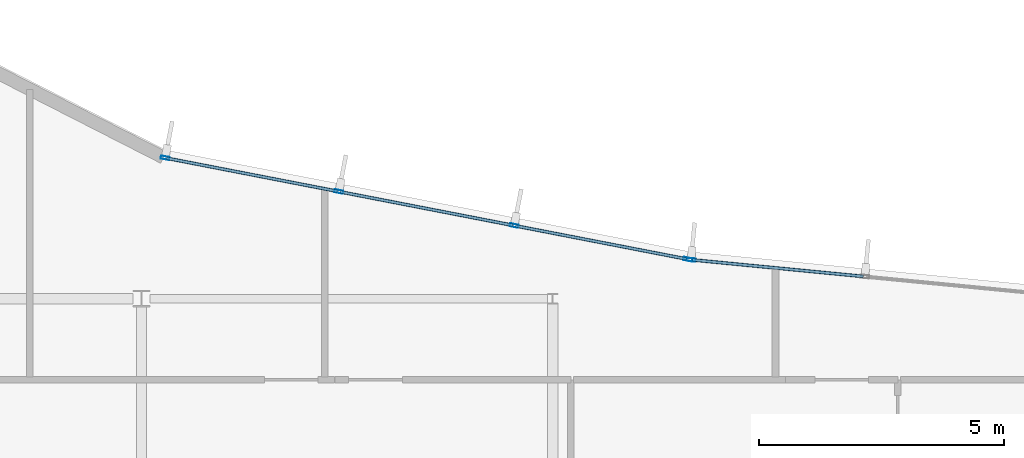
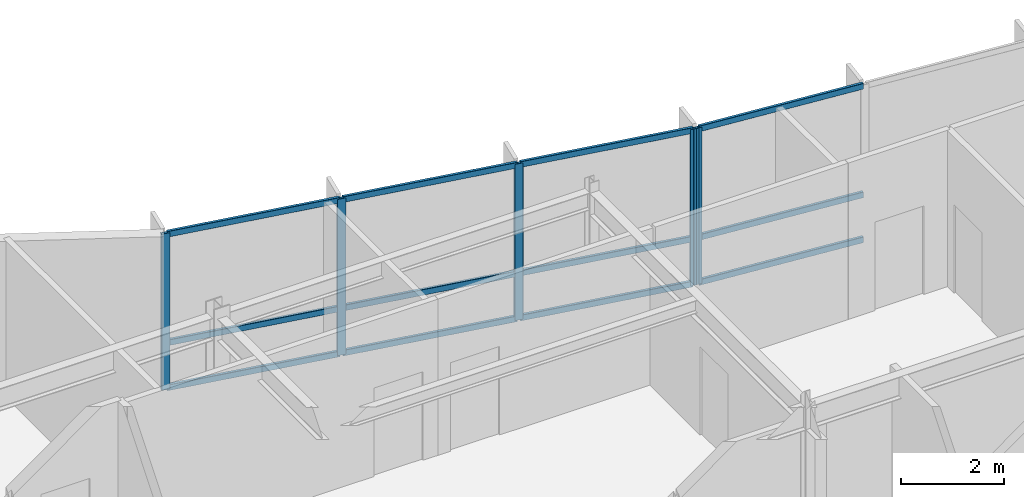
# One storey, part 6 of 15: 17 members, 2 elements without a shape of their own.
"""IFC4 building model written with IfcOpenShell, lengths in metres."""

from ifc_helpers import new_model, si_unit, direction, frame, origin, origin_2d, place, context, subcontext, project, spatial, hollow_rectangle, extrude, material, layer, layer_set, material_profile, profile_set, type_object, element, aggregate, save


model = new_model("IFC4")

# Units and contexts
model_context = context("Model", 3, precision=1e-05, world=origin(), true_north=direction((0.0, 1.0)))
body_context = subcontext(model_context, "Body", "Model", "MODEL_VIEW")
ifc_project = project(units=[si_unit("LENGTHUNIT", "METRE"), si_unit("AREAUNIT", "SQUARE_METRE"), si_unit("VOLUMEUNIT", "CUBIC_METRE"), si_unit("PLANEANGLEUNIT", "RADIAN"), si_unit("MASSUNIT", "GRAM", prefix="KILO")], contexts=[model_context])

# Site, building, storey
site_placement = place(None, origin())
site = spatial("IfcSite", under=ifc_project, at=site_placement, CompositionType="ELEMENT")
building_placement = place(site_placement, origin())
building = spatial("IfcBuilding", under=site, at=building_placement, Name="Varnakote Quay Hospital", CompositionType="ELEMENT")
storey_placement = place(building_placement, frame((0.0, 0.0, 284.199951171875)))
storey = spatial("IfcBuildingStorey", under=building, at=storey_placement, Name="L70", CompositionType="ELEMENT", Elevation=284.199951171875)

# Curtain wall, member
ifc_material_1 = material(Name="Anodised aluminium 6063-T6 Bronze", Category="aluminium")
ifc_layer = layer(ifc_material_1, 0.235107421875)
ifc_layer_set = layer_set([ifc_layer], Name="Anodised aluminium 6063-T6 Bronze")
curtain_wall_type = type_object("IfcCurtainWallType", Name="CW-SYS-5", PredefinedType="NOTDEFINED", material=ifc_layer_set)
curtain_wall_1_placement = place(storey_placement, origin())
curtain_wall_1 = element("IfcCurtainWall", 1, at=curtain_wall_1_placement, inside=storey, type_object=curtain_wall_type, Name="L70 Unitised Bronze Curtain Wall 1", PredefinedType="NOTDEFINED")
ifc_material_2 = material(Name="Anodised aluminium 6063-T6 Bronze", Category="aluminium")
ifc_material_profile_1 = material_profile(ifc_material_2, hollow_rectangle(XDim=0.06494140625, YDim=0.179931640625, WallThickness=0.00390625, InnerFilletRadius=0.00390625, OuterFilletRadius=0.008056640625, at=origin_2d()), Name="CW-MULL-180x65")
ifc_profile_set_1 = profile_set([ifc_material_profile_1], Name="Anodised aluminium 6063-T6 Bronze")
member_type_1 = type_object("IfcMemberType", Name="CW-MULL-180x65", PredefinedType="MULLION", material=ifc_profile_set_1)
member_1_placement = place(storey_placement, frame((28.025390625, 29.594482421875, 0.0), z_axis=(0.0, 0.0, 1.0), x_axis=(-0.096568970683, -0.995326295192, 0.0)))
member_1 = element("IfcMember", 2, at=member_1_placement, type_object=member_type_1, Name="-5-L70-1 mullion 4", PredefinedType="MULLION", context=body_context, shape_type="SweptSolid", body=[
    extrude(hollow_rectangle(XDim=0.06494140625, YDim=0.179931640625, WallThickness=0.00390625, InnerFilletRadius=0.00390625, OuterFilletRadius=0.008056640625, at=origin_2d()), origin(), (0.0, 0.0, 1.0), 3.7099609375),
])

# Curtain wall, members
curtain_wall_2_placement = place(storey_placement, origin())
curtain_wall_2 = element("IfcCurtainWall", 3, at=curtain_wall_2_placement, inside=storey, type_object=curtain_wall_type, Name="L70 Unitised Bronze Curtain Wall 2", PredefinedType="NOTDEFINED")
member_2_placement = place(storey_placement, frame((27.961181640625, 29.603759765625, 0.0), z_axis=(0.0, 0.0, 1.0), x_axis=(-0.190434218676, -0.981699958418, 0.0)))
member_2 = element("IfcMember", 4, at=member_2_placement, type_object=member_type_1, Name="-5-L70-2 mullion 1", PredefinedType="MULLION", context=body_context, shape_type="SweptSolid", body=[
    extrude(hollow_rectangle(XDim=0.06494140625, YDim=0.179931640625, WallThickness=0.00390625, InnerFilletRadius=0.00390625, OuterFilletRadius=0.008056640625, at=origin_2d()), origin(), (0.0, 0.0, 1.0), 3.7099609375),
])
member_3_placement = place(storey_placement, frame((24.412353515625, 30.2919921875, 0.0), z_axis=(0.0, 0.0, 1.0), x_axis=(-0.190434218676, -0.981699958418, 0.0)))
member_3 = element("IfcMember", 5, at=member_3_placement, type_object=member_type_1, Name="-5-L70-2 mullion 2", PredefinedType="MULLION", context=body_context, shape_type="SweptSolid", body=[
    extrude(hollow_rectangle(XDim=0.06494140625, YDim=0.179931640625, WallThickness=0.00390625, InnerFilletRadius=0.00390625, OuterFilletRadius=0.008056640625, at=origin_2d()), origin(), (0.0, 0.0, 1.0), 3.7099609375),
])
member_4_placement = place(storey_placement, frame((20.83203125, 30.986572265625, 0.0), z_axis=(0.0, 0.0, 1.0), x_axis=(-0.190434218676, -0.981699958418, 0.0)))
member_4 = element("IfcMember", 6, at=member_4_placement, type_object=member_type_1, Name="-5-L70-2 mullion 3", PredefinedType="MULLION", context=body_context, shape_type="SweptSolid", body=[
    extrude(hollow_rectangle(XDim=0.06494140625, YDim=0.179931640625, WallThickness=0.00390625, InnerFilletRadius=0.00390625, OuterFilletRadius=0.008056640625, at=origin_2d()), origin(), (0.0, 0.0, 1.0), 3.7099609375),
])
member_5_placement = place(storey_placement, frame((17.283203125, 31.675048828125, 0.0), z_axis=(0.0, 0.0, 1.0), x_axis=(-0.190434218676, -0.981699958418, 0.0)))
member_5 = element("IfcMember", 7, at=member_5_placement, type_object=member_type_1, Name="-5-L70-2 mullion 4", PredefinedType="MULLION", context=body_context, shape_type="SweptSolid", body=[
    extrude(hollow_rectangle(XDim=0.06494140625, YDim=0.179931640625, WallThickness=0.00390625, InnerFilletRadius=0.00390625, OuterFilletRadius=0.008056640625, at=origin_2d()), origin(), (0.0, 0.0, 1.0), 3.7099609375),
])

# Member
ifc_material_3 = material(Name="Anodised aluminium 6063-T6 Bronze", Category="aluminium")
ifc_material_profile_2 = material_profile(ifc_material_3, hollow_rectangle(XDim=0.06494140625, YDim=0.139892578125, WallThickness=0.00390625, InnerFilletRadius=0.00390625, OuterFilletRadius=0.007568359375, at=origin_2d()), Name="CW-TRAN-140x65")
ifc_profile_set_2 = profile_set([ifc_material_profile_2], Name="Anodised aluminium 6063-T6 Bronze")
member_type_2 = type_object("IfcMemberType", Name="CW-TRAN-140x65", PredefinedType="USERDEFINED", material=ifc_profile_set_2)
member_6_placement = place(storey_placement, frame((31.54296875, 29.253173828125, 0.032470703125), z_axis=(-0.995326912616, 0.096562606751, 0.0), x_axis=(-0.096562606751, -0.995326912616, 0.0)))
member_6 = element("IfcMember", 8, at=member_6_placement, type_object=member_type_2, Name="-5-L70-1 transom 3.1", ObjectType="TRANSOM", PredefinedType="USERDEFINED", context=body_context, shape_type="SweptSolid", body=[
    extrude(hollow_rectangle(XDim=0.06494140625, YDim=0.139892578125, WallThickness=0.00390625, InnerFilletRadius=0.00390625, OuterFilletRadius=0.007568359375, at=origin_2d()), origin(), (0.0, 0.0, 1.0), 3.501708984375),
])

member_7_placement = place(storey_placement, frame((31.54296875, 29.253173828125, 1.10009765625), z_axis=(-0.995326912616, 0.096562606751, 0.0), x_axis=(-0.096562606751, -0.995326912616, 0.0)))
member_7 = element("IfcMember", 9, at=member_7_placement, type_object=member_type_2, Name="-5-L70-1 transom 3.2", ObjectType="TRANSOM", PredefinedType="USERDEFINED", context=body_context, shape_type="SweptSolid", body=[
    extrude(hollow_rectangle(XDim=0.06494140625, YDim=0.139892578125, WallThickness=0.00390625, InnerFilletRadius=0.00390625, OuterFilletRadius=0.007568359375, at=origin_2d()), origin(), (0.0, 0.0, 1.0), 3.501708984375),
])

member_8_placement = place(storey_placement, frame((31.54296875, 29.253173828125, 3.677490234375), z_axis=(-0.995326912616, 0.096562606751, 0.0), x_axis=(-0.096562606751, -0.995326912616, 0.0)))
member_8 = element("IfcMember", 10, at=member_8_placement, type_object=member_type_2, Name="-5-L70-1 transom 3.3", ObjectType="TRANSOM", PredefinedType="USERDEFINED", context=body_context, shape_type="SweptSolid", body=[
    extrude(hollow_rectangle(XDim=0.06494140625, YDim=0.139892578125, WallThickness=0.00390625, InnerFilletRadius=0.00390625, OuterFilletRadius=0.007568359375, at=origin_2d()), origin(), (0.0, 0.0, 1.0), 3.501708984375),
])

aggregate(curtain_wall_1, [member_1, member_6, member_7, member_8])

member_9_placement = place(storey_placement, frame((27.92919921875, 29.60986328125, 0.032470703125), z_axis=(-0.98169905277, 0.190438887286, 0.0), x_axis=(-0.190438887286, -0.98169905277, 0.0)))
member_9 = element("IfcMember", 11, at=member_9_placement, type_object=member_type_2, Name="-5-L70-2 transom 1.1", ObjectType="TRANSOM", PredefinedType="USERDEFINED", context=body_context, shape_type="SweptSolid", body=[
    extrude(hollow_rectangle(XDim=0.06494140625, YDim=0.139892578125, WallThickness=0.00390625, InnerFilletRadius=0.00390625, OuterFilletRadius=0.007568359375, at=origin_2d()), origin(), (0.0, 0.0, 1.0), 3.5498046875),
])

member_10_placement = place(storey_placement, frame((27.92919921875, 29.60986328125, 1.10009765625), z_axis=(-0.98169905277, 0.190438887286, 0.0), x_axis=(-0.190438887286, -0.98169905277, 0.0)))
member_10 = element("IfcMember", 12, at=member_10_placement, type_object=member_type_2, Name="-5-L70-2 transom 1.2", ObjectType="TRANSOM", PredefinedType="USERDEFINED", context=body_context, shape_type="SweptSolid", body=[
    extrude(hollow_rectangle(XDim=0.06494140625, YDim=0.139892578125, WallThickness=0.00390625, InnerFilletRadius=0.00390625, OuterFilletRadius=0.007568359375, at=origin_2d()), origin(), (0.0, 0.0, 1.0), 3.5498046875),
])

member_11_placement = place(storey_placement, frame((27.92919921875, 29.60986328125, 3.677490234375), z_axis=(-0.98169905277, 0.190438887286, 0.0), x_axis=(-0.190438887286, -0.98169905277, 0.0)))
member_11 = element("IfcMember", 13, at=member_11_placement, type_object=member_type_2, Name="-5-L70-2 transom 1.3", ObjectType="TRANSOM", PredefinedType="USERDEFINED", context=body_context, shape_type="SweptSolid", body=[
    extrude(hollow_rectangle(XDim=0.06494140625, YDim=0.139892578125, WallThickness=0.00390625, InnerFilletRadius=0.00390625, OuterFilletRadius=0.007568359375, at=origin_2d()), origin(), (0.0, 0.0, 1.0), 3.5498046875),
])

member_12_placement = place(storey_placement, frame((24.380615234375, 30.29833984375, 0.032470703125), z_axis=(-0.981704308904, 0.190411790286, 0.0), x_axis=(-0.190411790286, -0.981704308904, 0.0)))
member_12 = element("IfcMember", 14, at=member_12_placement, type_object=member_type_2, Name="-5-L70-2 transom 2.1", ObjectType="TRANSOM", PredefinedType="USERDEFINED", context=body_context, shape_type="SweptSolid", body=[
    extrude(hollow_rectangle(XDim=0.06494140625, YDim=0.139892578125, WallThickness=0.00390625, InnerFilletRadius=0.00390625, OuterFilletRadius=0.007568359375, at=origin_2d()), origin(), (0.0, 0.0, 1.0), 3.582275390625),
])

member_13_placement = place(storey_placement, frame((24.380615234375, 30.29833984375, 1.10009765625), z_axis=(-0.981704308904, 0.190411790286, 0.0), x_axis=(-0.190411790286, -0.981704308904, 0.0)))
member_13 = element("IfcMember", 15, at=member_13_placement, type_object=member_type_2, Name="-5-L70-2 transom 2.2", ObjectType="TRANSOM", PredefinedType="USERDEFINED", context=body_context, shape_type="SweptSolid", body=[
    extrude(hollow_rectangle(XDim=0.06494140625, YDim=0.139892578125, WallThickness=0.00390625, InnerFilletRadius=0.00390625, OuterFilletRadius=0.007568359375, at=origin_2d()), origin(), (0.0, 0.0, 1.0), 3.582275390625),
])

member_14_placement = place(storey_placement, frame((24.380615234375, 30.29833984375, 3.677490234375), z_axis=(-0.981704308904, 0.190411790286, 0.0), x_axis=(-0.190411790286, -0.981704308904, 0.0)))
member_14 = element("IfcMember", 16, at=member_14_placement, type_object=member_type_2, Name="-5-L70-2 transom 2.3", ObjectType="TRANSOM", PredefinedType="USERDEFINED", context=body_context, shape_type="SweptSolid", body=[
    extrude(hollow_rectangle(XDim=0.06494140625, YDim=0.139892578125, WallThickness=0.00390625, InnerFilletRadius=0.00390625, OuterFilletRadius=0.007568359375, at=origin_2d()), origin(), (0.0, 0.0, 1.0), 3.582275390625),
])

member_15_placement = place(storey_placement, frame((20.800048828125, 30.992919921875, 0.032470703125), z_axis=(-0.981711908501, 0.190372604927, 0.0), x_axis=(-0.190372604927, -0.981711908501, 0.0)))
member_15 = element("IfcMember", 17, at=member_15_placement, type_object=member_type_2, Name="-5-L70-2 transom 3.1", ObjectType="TRANSOM", PredefinedType="USERDEFINED", context=body_context, shape_type="SweptSolid", body=[
    extrude(hollow_rectangle(XDim=0.06494140625, YDim=0.139892578125, WallThickness=0.00390625, InnerFilletRadius=0.00390625, OuterFilletRadius=0.007568359375, at=origin_2d()), origin(), (0.0, 0.0, 1.0), 3.5498046875),
])

member_16_placement = place(storey_placement, frame((20.800048828125, 30.992919921875, 1.10009765625), z_axis=(-0.981711908501, 0.190372604927, 0.0), x_axis=(-0.190372604927, -0.981711908501, 0.0)))
member_16 = element("IfcMember", 18, at=member_16_placement, type_object=member_type_2, Name="-5-L70-2 transom 3.2", ObjectType="TRANSOM", PredefinedType="USERDEFINED", context=body_context, shape_type="SweptSolid", body=[
    extrude(hollow_rectangle(XDim=0.06494140625, YDim=0.139892578125, WallThickness=0.00390625, InnerFilletRadius=0.00390625, OuterFilletRadius=0.007568359375, at=origin_2d()), origin(), (0.0, 0.0, 1.0), 3.5498046875),
])

member_17_placement = place(storey_placement, frame((20.800048828125, 30.992919921875, 3.677490234375), z_axis=(-0.981711908501, 0.190372604927, 0.0), x_axis=(-0.190372604927, -0.981711908501, 0.0)))
member_17 = element("IfcMember", 19, at=member_17_placement, type_object=member_type_2, Name="-5-L70-2 transom 3.3", ObjectType="TRANSOM", PredefinedType="USERDEFINED", context=body_context, shape_type="SweptSolid", body=[
    extrude(hollow_rectangle(XDim=0.06494140625, YDim=0.139892578125, WallThickness=0.00390625, InnerFilletRadius=0.00390625, OuterFilletRadius=0.007568359375, at=origin_2d()), origin(), (0.0, 0.0, 1.0), 3.5498046875),
])

aggregate(curtain_wall_2, [member_2, member_3, member_4, member_5, member_9, member_10, member_11, member_12, member_13, member_14, member_15, member_16, member_17])

save(model, "model.ifc")
